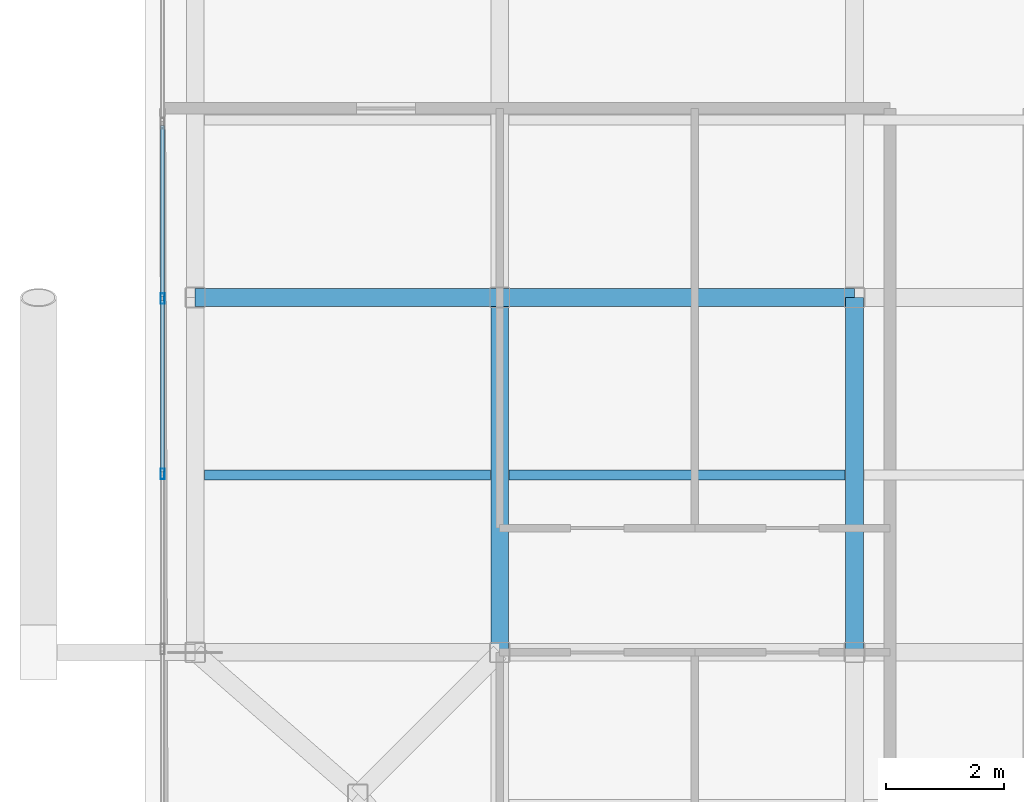
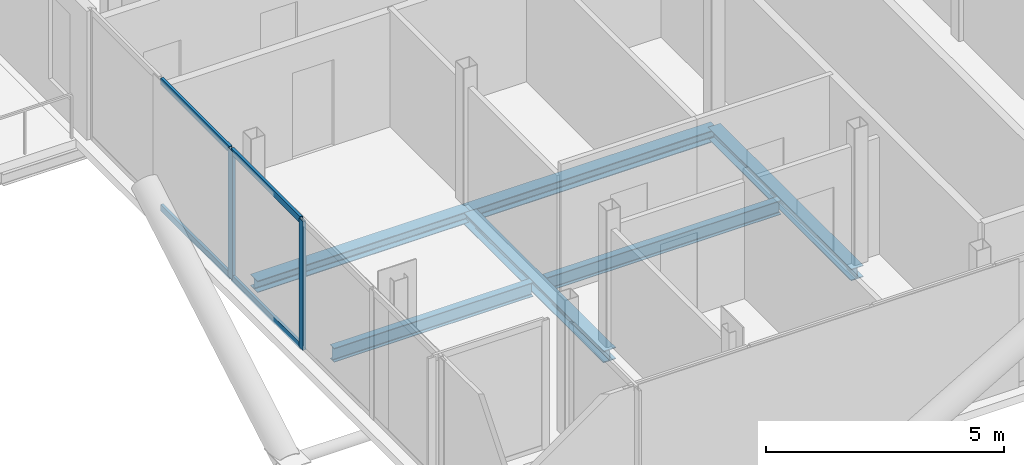
# One storey, part 4 of 19: 6 beams, 6 members, 1 element without a shape of its own.
"""IFC4 building model written with IfcOpenShell, lengths in metres."""

from ifc_helpers import new_model, si_unit, direction, frame, origin, origin_2d, place, context, subcontext, project, spatial, hollow_rectangle, i_section, extrude, material, layer, layer_set, material_profile, profile_set, type_object, element, aggregate, save


model = new_model("IFC4")

# Units and contexts
model_context = context("Model", 3, precision=1e-05, world=origin(), true_north=direction((0.0, 1.0)))
body_context = subcontext(model_context, "Body", "Model", "MODEL_VIEW")
ifc_project = project(units=[si_unit("LENGTHUNIT", "METRE"), si_unit("AREAUNIT", "SQUARE_METRE"), si_unit("VOLUMEUNIT", "CUBIC_METRE"), si_unit("PLANEANGLEUNIT", "RADIAN"), si_unit("MASSUNIT", "GRAM", prefix="KILO"), si_unit("THERMODYNAMICTEMPERATUREUNIT", "KELVIN"), si_unit("POWERUNIT", "WATT")], contexts=[model_context])

# Site, building, storey
site_placement = place(None, origin())
site = spatial("IfcSite", under=ifc_project, at=site_placement, CompositionType="ELEMENT")
building_placement = place(site_placement, origin())
building = spatial("IfcBuilding", under=site, at=building_placement, Name="Svarakhadi Broadcast Tower", CompositionType="ELEMENT")
storey_placement = place(building_placement, frame((0.0, 0.0, 257.199951171875)))
storey = spatial("IfcBuildingStorey", under=building, at=storey_placement, Name="L64", CompositionType="ELEMENT", Elevation=257.199951171875)

# Beams
ifc_material_1 = material(Name="Steel S355J2 (IS 2062 E350C)", Category="steel")
ifc_material_profile_1 = material_profile(ifc_material_1, i_section(OverallWidth=0.169921875, OverallDepth=0.360107421875, WebThickness=0.008056640625, FlangeThickness=0.0126953125, FilletRadius=0.01806640625, at=origin_2d()), Name="NPB 360x170x57")
ifc_profile_set_1 = profile_set([ifc_material_profile_1], Name="Steel S355J2 (IS 2062 E350C)")
beam_type_1 = type_object("IfcBeamType", Name="Beam_NPB360", PredefinedType="BEAM", material=ifc_profile_set_1)
beam_1_placement = place(storey_placement, frame((1.010009765625, 9.0, -0.3798828125), z_axis=(1.0, 0.0, 0.0), x_axis=(0.0, 1.0, 0.0)))
element("IfcBeam", 1, at=beam_1_placement, inside=storey, type_object=beam_type_1, Name="L64 Secondary Composite Beam SB001", PredefinedType="BEAM", context=body_context, shape_type="SweptSolid", body=[
    extrude(i_section(OverallWidth=0.169921875, OverallDepth=0.360107421875, WebThickness=0.008056640625, FlangeThickness=0.0126953125, FilletRadius=0.01806640625, at=origin_2d()), origin(), (0.0, 0.0, 1.0), 4.830078125),
])
beam_2_placement = place(storey_placement, frame((6.159912109375, 9.0, -0.3798828125), z_axis=(1.0, 0.0, 0.0), x_axis=(0.0, 1.0, 0.0)))
element("IfcBeam", 2, at=beam_2_placement, inside=storey, type_object=beam_type_1, Name="L64 Secondary Composite Beam SB005", PredefinedType="BEAM", context=body_context, shape_type="SweptSolid", body=[
    extrude(i_section(OverallWidth=0.169921875, OverallDepth=0.360107421875, WebThickness=0.008056640625, FlangeThickness=0.0126953125, FilletRadius=0.01806640625, at=origin_2d()), origin(), (0.0, 0.0, 1.0), 5.68017578125),
])

# Curtain wall, members
ifc_material_2 = material(Name="Anodised Bronze Aluminium AA 6063-T6", Category="aluminium")
ifc_layer = layer(ifc_material_2, 0.179931640625)
ifc_layer_set = layer_set([ifc_layer], Name="Anodised Bronze Aluminium AA 6063-T6")
curtain_wall_type = type_object("IfcCurtainWallType", Name="CW_Sys_05", PredefinedType="NOTDEFINED", material=ifc_layer_set)
curtain_wall_placement = place(storey_placement, origin())
curtain_wall = element("IfcCurtainWall", 3, at=curtain_wall_placement, inside=storey, type_object=curtain_wall_type, Name="L64 West Curtain Wall 02", PredefinedType="NOTDEFINED")
ifc_material_profile_2 = material_profile(ifc_material_2, hollow_rectangle(XDim=0.070068359375, YDim=0.179931640625, WallThickness=0.005615234375, at=origin_2d()), Name="ALU MULLION 180x70x6")
ifc_profile_set_2 = profile_set([ifc_material_profile_2], Name="Anodised Bronze Aluminium AA 6063-T6")
member_type_1 = type_object("IfcMemberType", Name="CW_Sys_05_Mul", PredefinedType="MULLION", material=ifc_profile_set_2)
member_1_placement = place(storey_placement, frame((0.300048828125, 9.01806640625, 0.0), z_axis=(0.0, 0.0, 1.0), x_axis=(-1.0, 0.0, 0.0)))
member_1 = element("IfcMember", 4, at=member_1_placement, type_object=member_type_1, Name="CW-05 mullion 3", PredefinedType="MULLION", context=body_context, shape_type="SweptSolid", body=[
    extrude(hollow_rectangle(XDim=0.070068359375, YDim=0.179931640625, WallThickness=0.005615234375, at=origin_2d()), origin(), (0.0, 0.0, 1.0), 3.300048828125),
])
member_2_placement = place(storey_placement, frame((0.300048828125, 11.98193359375, 0.0), z_axis=(0.0, 0.0, 1.0), x_axis=(-1.0, 0.0, 0.0)))
member_2 = element("IfcMember", 5, at=member_2_placement, type_object=member_type_1, Name="CW-05 mullion 4", PredefinedType="MULLION", context=body_context, shape_type="SweptSolid", body=[
    extrude(hollow_rectangle(XDim=0.070068359375, YDim=0.179931640625, WallThickness=0.005615234375, at=origin_2d()), origin(), (0.0, 0.0, 1.0), 3.300048828125),
])
ifc_material_profile_3 = material_profile(ifc_material_2, hollow_rectangle(XDim=0.06494140625, YDim=0.1650390625, WallThickness=0.0048828125, at=origin_2d()), Name="ALU TRANSOM 165x65x5")
ifc_profile_set_3 = profile_set([ifc_material_profile_3], Name="Anodised Bronze Aluminium AA 6063-T6")
member_type_2 = type_object("IfcMemberType", Name="CW_Sys_05_Trn", PredefinedType="USERDEFINED", material=ifc_profile_set_3)
member_3_placement = place(storey_placement, frame((0.300048828125, 9.052978515625, 0.032470703125), z_axis=(0.0, 1.0, 0.0), x_axis=(-1.0, 0.0, 0.0)))
member_3 = element("IfcMember", 6, at=member_3_placement, type_object=member_type_2, Name="CW-05 transom 3.1", ObjectType="TRANSOM", PredefinedType="USERDEFINED", context=body_context, shape_type="SweptSolid", body=[
    extrude(hollow_rectangle(XDim=0.06494140625, YDim=0.1650390625, WallThickness=0.0048828125, at=origin_2d()), origin(), (0.0, 0.0, 1.0), 2.89404296875),
])
member_4_placement = place(storey_placement, frame((0.300048828125, 9.052978515625, 3.267578125), z_axis=(0.0, 1.0, 0.0), x_axis=(-1.0, 0.0, 0.0)))
member_4 = element("IfcMember", 7, at=member_4_placement, type_object=member_type_2, Name="CW-05 transom 3.2", ObjectType="TRANSOM", PredefinedType="USERDEFINED", context=body_context, shape_type="SweptSolid", body=[
    extrude(hollow_rectangle(XDim=0.06494140625, YDim=0.1650390625, WallThickness=0.0048828125, at=origin_2d()), origin(), (0.0, 0.0, 1.0), 2.89404296875),
])
member_5_placement = place(storey_placement, frame((0.300048828125, 12.01708984375, 0.032470703125), z_axis=(0.0, 1.0, 0.0), x_axis=(-1.0, 0.0, 0.0)))
member_5 = element("IfcMember", 8, at=member_5_placement, type_object=member_type_2, Name="CW-05 transom 4.1", ObjectType="TRANSOM", PredefinedType="USERDEFINED", context=body_context, shape_type="SweptSolid", body=[
    extrude(hollow_rectangle(XDim=0.06494140625, YDim=0.1650390625, WallThickness=0.0048828125, at=origin_2d()), origin(), (0.0, 0.0, 1.0), 2.893798828125),
])
member_6_placement = place(storey_placement, frame((0.300048828125, 12.01708984375, 3.267578125), z_axis=(0.0, 1.0, 0.0), x_axis=(-1.0, 0.0, 0.0)))
member_6 = element("IfcMember", 9, at=member_6_placement, type_object=member_type_2, Name="CW-05 transom 4.2", ObjectType="TRANSOM", PredefinedType="USERDEFINED", context=body_context, shape_type="SweptSolid", body=[
    extrude(hollow_rectangle(XDim=0.06494140625, YDim=0.1650390625, WallThickness=0.0048828125, at=origin_2d()), origin(), (0.0, 0.0, 1.0), 2.893798828125),
])
aggregate(curtain_wall, [member_1, member_2, member_3, member_4, member_5, member_6])

# Beams
ifc_material_profile_4 = material_profile(ifc_material_1, i_section(OverallWidth=0.300048828125, OverallDepth=0.300048828125, WebThickness=0.010986328125, FlangeThickness=0.01904296875, FilletRadius=0.027099609375, at=origin_2d()), Name="WPB 300x300x117")
ifc_profile_set_4 = profile_set([ifc_material_profile_4], Name="Steel S355J2 (IS 2062 E350C)")
beam_type_2 = type_object("IfcBeamType", Name="Girder_WPB300", PredefinedType="USERDEFINED", material=ifc_profile_set_4)
beam_3_placement = place(storey_placement, frame((0.85009765625, 12.0, -0.349853515625), z_axis=(1.0, 0.0, 0.0), x_axis=(0.0, 1.0, 0.0)))
element("IfcBeam", 10, at=beam_3_placement, inside=storey, type_object=beam_type_2, Name="L64 Primary E-W Girder G013", ObjectType="GIRDER", PredefinedType="USERDEFINED", context=body_context, shape_type="SweptSolid", body=[
    extrude(i_section(OverallWidth=0.300048828125, OverallDepth=0.300048828125, WebThickness=0.010986328125, FlangeThickness=0.01904296875, FilletRadius=0.027099609375, at=origin_2d()), origin(), (0.0, 0.0, 1.0), 5.14990234375),
])
for number, where, z_axis, x_axis, name in (
    (11, (6.0, 12.0, -0.349853515625), (1.0, 0.0, 0.0), (0.0, 1.0, 0.0), "L64 Primary E-W Girder G014"),
    (12, (6.0, 6.0, -0.349853515625), (0.0, 1.0, 0.0), (-1.0, 0.0, 0.0), "L64 Primary N-S Girder G030"),
    (13, (12.0, 6.0, -0.349853515625), (0.0, 1.0, 0.0), (-1.0, 0.0, 0.0), "L64 Primary N-S Girder G034"),
):
    element("IfcBeam", number, at=place(storey_placement, frame(where, z_axis=z_axis, x_axis=x_axis)), inside=storey, type_object=beam_type_2, Name=name, ObjectType="GIRDER", PredefinedType="USERDEFINED", context=body_context, shape_type="SweptSolid", body=[
        extrude(i_section(OverallWidth=0.300048828125, OverallDepth=0.300048828125, WebThickness=0.010986328125, FlangeThickness=0.01904296875, FilletRadius=0.027099609375, at=origin_2d()), origin(), (0.0, 0.0, 1.0), 6.0),
    ])

save(model, "model.ifc")
